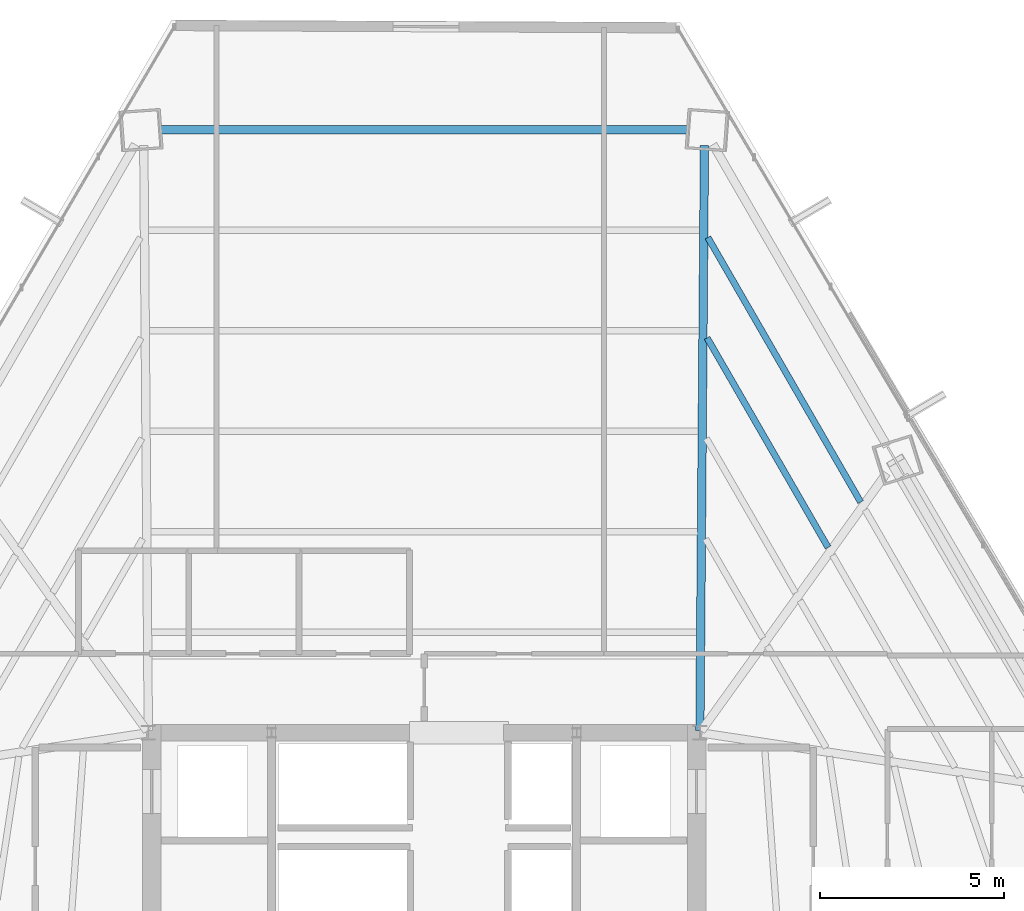
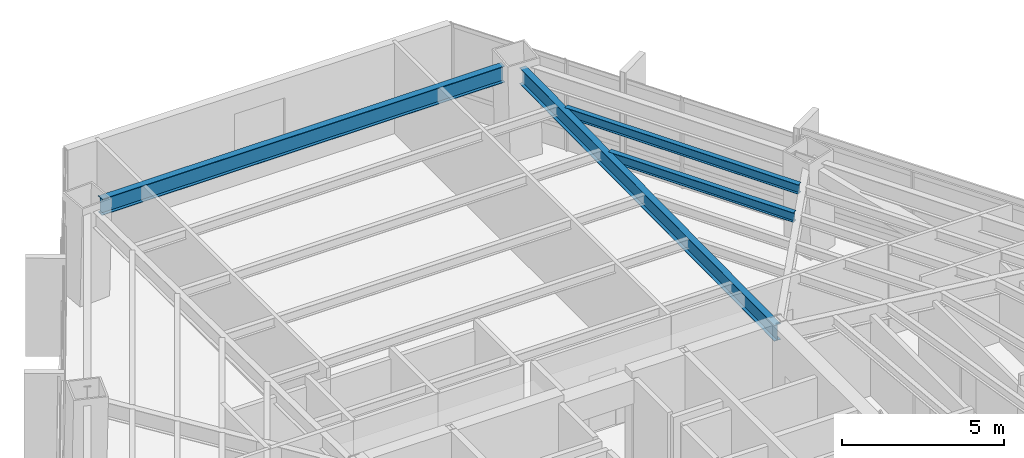
# One storey, part 27 of 35: 4 beams.
"""IFC4 building model written with IfcOpenShell, lengths in metres."""

from ifc_helpers import new_model, si_unit, direction, frame, origin, origin_2d, place, context, subcontext, project, spatial, i_section, extrude, source, transform, mapped, material, material_profile, profile_set, type_object, type_shapes, element, save


model = new_model("IFC4")

# Units and contexts
model_context = context("Model", 3, precision=1e-05, world=origin(), true_north=direction((0.0, 1.0)))
body_context = subcontext(model_context, "Body", "Model", "MODEL_VIEW")
ifc_project = project(units=[si_unit("LENGTHUNIT", "METRE"), si_unit("AREAUNIT", "SQUARE_METRE"), si_unit("VOLUMEUNIT", "CUBIC_METRE"), si_unit("PLANEANGLEUNIT", "RADIAN"), si_unit("MASSUNIT", "GRAM", prefix="KILO")], contexts=[model_context])

# Site, building, storey
site_placement = place(None, origin())
site = spatial("IfcSite", under=ifc_project, at=site_placement, CompositionType="ELEMENT")
building_placement = place(site_placement, origin())
building = spatial("IfcBuilding", under=site, at=building_placement, Name="Caelisora Broadcast Tower", CompositionType="ELEMENT")
storey_placement = place(building_placement, frame((0.0, 0.0, 94.449951171875)))
storey = spatial("IfcBuildingStorey", under=building, at=storey_placement, Name="L24", CompositionType="ELEMENT", Elevation=94.449951171875)

# Beams
ifc_material = material(Name="Steel Grade 350 (AS/NZS 3679.1)", Category="steel")
ifc_material_profile_1 = material_profile(ifc_material, i_section(OverallWidth=0.172119140625, OverallDepth=0.358642578125, WebThickness=0.008056640625, FlangeThickness=0.012939453125, at=origin_2d()), Name="Steel Grade 350 (AS/NZS 3679.1)")
ifc_profile_set_1 = profile_set([ifc_material_profile_1], Name="Steel Grade 350 (AS/NZS 3679.1)")
beam_type_1 = type_object("IfcBeamType", Name="SB02", PredefinedType="JOIST", material=ifc_profile_set_1)
shared_shape_1 = source(origin(), body_context, "Body", "SweptSolid", [
    extrude(i_section(OverallWidth=0.172119140625, OverallDepth=0.358642578125, WebThickness=0.008056640625, FlangeThickness=0.012939453125, at=origin_2d()), origin(), (0.0, 0.0, 1.0), 8.3125),
])
beam_1_placement = place(storey_placement, frame((49.873291015625, 36.272216796875, 3.220703125), z_axis=(-0.499970760378, 0.86604228463, 0.0), x_axis=(-0.86604228463, -0.499970760378, 0.0)))
element("IfcBeam", 1, at=beam_1_placement, inside=storey, type_object=beam_type_1, Name="L24 beam SB02", PredefinedType="JOIST", context=body_context, shape_type="MappedRepresentation", body=[
    mapped(shared_shape_1, transform((0.0, 0.0, 0.0), scale=1.0)),
])
ifc_material_profile_2 = material_profile(ifc_material, i_section(OverallWidth=0.22900390625, OverallDepth=0.611572265625, WebThickness=0.011962890625, FlangeThickness=0.01953125, at=origin_2d()), Name="Steel Grade 350 (AS/NZS 3679.1)")
ifc_profile_set_2 = profile_set([ifc_material_profile_2], Name="Steel Grade 350 (AS/NZS 3679.1)")
beam_type_2 = type_object("IfcBeamType", Name="PG03", PredefinedType="BEAM", material=ifc_profile_set_2)
shared_shape_2 = source(origin(), body_context, "Body", "SweptSolid", [
    extrude(i_section(OverallWidth=0.22900390625, OverallDepth=0.611572265625, WebThickness=0.011962890625, FlangeThickness=0.01953125, at=origin_2d()), origin(), (0.0, 0.0, 1.0), 14.3349609375),
])
type_shapes(beam_type_2, [shared_shape_2])
beam_2_placement = place(storey_placement, frame((45.16748046875, 46.39599609375, 3.09423828125), z_axis=(-1.0, 0.0, 0.0), x_axis=(0.0, -1.0, 0.0)))
element("IfcBeam", 2, at=beam_2_placement, inside=storey, type_object=beam_type_2, Name="L24 beam PG03", PredefinedType="BEAM", context=body_context, shape_type="MappedRepresentation", body=[
    mapped(shared_shape_2, transform((0.0, 0.0, 0.0), scale=1.0)),
])
ifc_material_profile_3 = material_profile(ifc_material, i_section(OverallWidth=0.22802734375, OverallDepth=0.602294921875, WebThickness=0.010498046875, FlangeThickness=0.014892578125, at=origin_2d()), Name="Steel Grade 350 (AS/NZS 3679.1)")
ifc_profile_set_3 = profile_set([ifc_material_profile_3], Name="Steel Grade 350 (AS/NZS 3679.1)")
beam_type_3 = type_object("IfcBeamType", Name="PG04", PredefinedType="BEAM", material=ifc_profile_set_3)
shared_shape_3 = source(origin(), body_context, "Body", "SweptSolid", [
    extrude(i_section(OverallWidth=0.22802734375, OverallDepth=0.602294921875, WebThickness=0.010498046875, FlangeThickness=0.014892578125, at=origin_2d()), origin(), (0.0, 0.0, 1.0), 15.91650390625),
])
type_shapes(beam_type_3, [shared_shape_3])
beam_3_placement = place(storey_placement, frame((45.50048828125, 30.06005859375, 3.098876953125), z_axis=(0.007761454764, 0.999969879456, 0.0), x_axis=(-0.999969879456, 0.007761454764, 0.0)))
element("IfcBeam", 3, at=beam_3_placement, inside=storey, type_object=beam_type_3, Name="L24 beam PG04", PredefinedType="BEAM", context=body_context, shape_type="MappedRepresentation", body=[
    mapped(shared_shape_3, transform((0.0, 0.0, 0.0), scale=1.0)),
])
shared_shape_4 = source(origin(), body_context, "Body", "SweptSolid", [
    extrude(i_section(OverallWidth=0.172119140625, OverallDepth=0.358642578125, WebThickness=0.008056640625, FlangeThickness=0.012939453125, at=origin_2d()), origin(), (0.0, 0.0, 1.0), 6.581298828125),
])
type_shapes(beam_type_1, [shared_shape_1, shared_shape_4])
beam_4_placement = place(storey_placement, frame((48.986572265625, 35.0390625, 3.220703125), z_axis=(-0.500021088148, 0.866013228194, 0.0), x_axis=(-0.866013228194, -0.500021088148, 0.0)))
element("IfcBeam", 4, at=beam_4_placement, inside=storey, type_object=beam_type_1, Name="L24 beam SB02", PredefinedType="JOIST", context=body_context, shape_type="MappedRepresentation", body=[
    mapped(shared_shape_4, transform((0.0, 0.0, 0.0), scale=1.0)),
])

save(model, "model.ifc")
